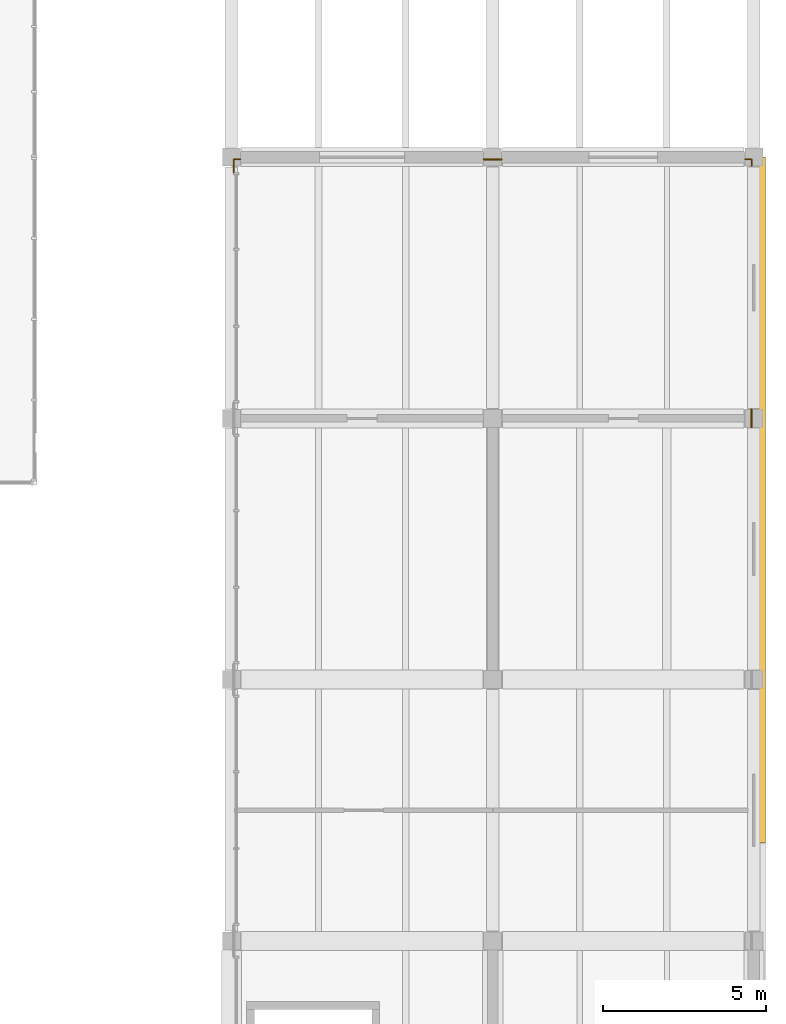
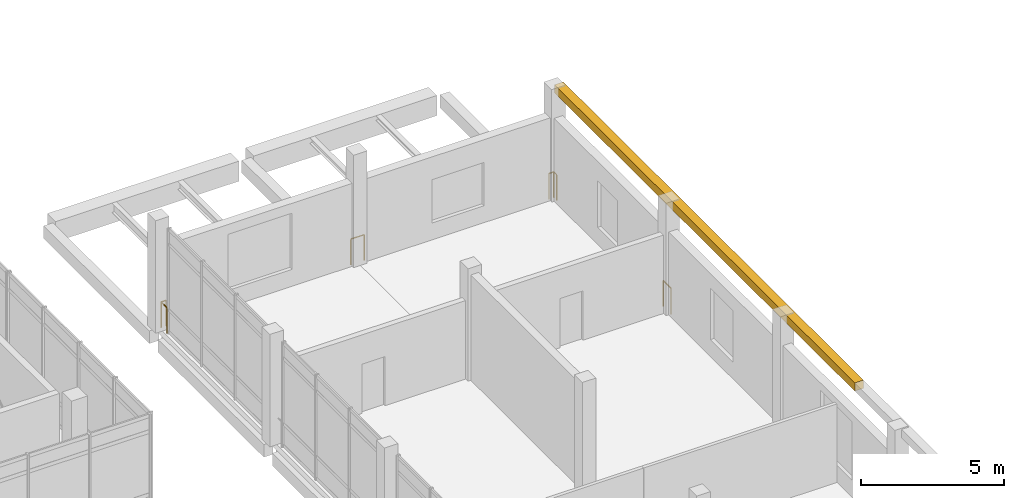
# One storey, part 27 of 28: 4 railings, 1 covering.
"""IFC4 building model written with IfcOpenShell, lengths in metres."""

from ifc_helpers import new_model, si_unit, direction, frame, origin, origin_2d, place, context, subcontext, project, spatial, polyline, circle, outline, extrude, material, layer, layer_set, type_object, element, save


model = new_model("IFC4")

# Units and contexts
model_context = context("Model", 3, precision=1e-05, world=origin(), true_north=direction((0.0, 1.0)))
body_context = subcontext(model_context, "Body", "Model", "MODEL_VIEW")
ifc_project = project(units=[si_unit("LENGTHUNIT", "METRE"), si_unit("AREAUNIT", "SQUARE_METRE"), si_unit("VOLUMEUNIT", "CUBIC_METRE"), si_unit("PLANEANGLEUNIT", "RADIAN"), si_unit("MASSUNIT", "GRAM", prefix="KILO")], contexts=[model_context])

# Site, building, storey
site_placement = place(None, origin())
site = spatial("IfcSite", under=ifc_project, at=site_placement, CompositionType="ELEMENT")
building_placement = place(site_placement, origin())
building = spatial("IfcBuilding", under=site, at=building_placement, Name="Pecanmere Concourse Central Library", CompositionType="ELEMENT")
storey_placement = place(building_placement, frame((0.0, 0.0, 20.10009765625)))
storey = spatial("IfcBuildingStorey", under=building, at=storey_placement, Name="L05", CompositionType="ELEMENT", Elevation=20.10009765625)

# Covering
ifc_material_1 = material(Name="Texas cream limestone ashlar masonry", Category="masonry")
ifc_layer = layer(ifc_material_1, 0.06005859375, Name="COV_CLAD_CORNICE")
ifc_layer_set = layer_set([ifc_layer], Name="Texas cream limestone ashlar masonry")
covering_type = type_object("IfcCoveringType", Name="COV_CLAD_CORNICE", PredefinedType="CLADDING", material=ifc_layer_set)
covering_placement = place(storey_placement, frame((0.0, 0.0, 4.39990234375)))
element("IfcCovering", 1, at=covering_placement, inside=storey, type_object=covering_type, Name="Classical Entablature Cornice 06", PredefinedType="CLADDING", context=body_context, shape_type="SweptSolid", body=[
    extrude(outline(polyline([(128.0, 77.0), (128.35009765625, 77.0), (128.35009765625, 98.0), (128.0, 98.0), (128.0, 77.0)])), origin(), (0.0, 0.0, 1.0), 0.35009765625),
])

# Railings
ifc_material_2 = material(Name="Architectural anodized bronze")
railing_type = type_object("IfcRailingType", Name="RAIL_ATRIUM_BAL", PredefinedType="BALUSTRADE", material=ifc_material_2)
railing_1_placement = place(storey_placement, frame((112.070068359375, 97.52001953125, 0.0)))
element("IfcRailing", 2, at=railing_1_placement, inside=storey, type_object=railing_type, Name="Deck Edge Protective Balustrade L05-203", PredefinedType="BALUSTRADE", context=body_context, shape_type="SweptSolid", body=[
    extrude(circle(Radius=0.02392578125, at=origin_2d()), frame((0.0, 0.0, 1.09619140625), z_axis=(0.0, 1.0, 0.0), x_axis=(-1.0, 0.0, 0.0)), (0.0, 0.0, 1.0), 0.40966796875),
    extrude(circle(Radius=0.02392578125, at=origin_2d()), frame((0.0, 0.40966796875, 1.09619140625), z_axis=(1.0, 0.0, 0.0), x_axis=(0.0, 1.0, 0.0)), (0.0, 0.0, 1.0), 0.199951171875),
    extrude(circle(Radius=0.02099609375, at=origin_2d()), origin(), (0.0, 0.0, 1.0), 1.072021484375),
    extrude(circle(Radius=0.02099609375, at=origin_2d()), frame((0.0, 0.40966796875, 0.0)), (0.0, 0.0, 1.0), 1.072021484375),
    extrude(circle(Radius=0.02099609375, at=origin_2d()), frame((0.199951171875, 0.40966796875, 0.0)), (0.0, 0.0, 1.0), 1.072021484375),
])
railing_2_placement = place(storey_placement, frame((119.72998046875, 97.929931640625, 0.0)))
element("IfcRailing", 3, at=railing_2_placement, inside=storey, type_object=railing_type, Name="Deck Edge Protective Balustrade L05-204", PredefinedType="BALUSTRADE", context=body_context, shape_type="SweptSolid", body=[
    extrude(circle(Radius=0.02392578125, at=origin_2d()), frame((0.0, 0.0, 1.09619140625), z_axis=(1.0, 0.0, 0.0), x_axis=(0.0, 1.0, 0.0)), (0.0, 0.0, 1.0), 0.5400390625),
    extrude(circle(Radius=0.02099609375, at=origin_2d()), origin(), (0.0, 0.0, 1.0), 1.072021484375),
    extrude(circle(Radius=0.02099609375, at=origin_2d()), frame((0.5400390625, 0.0, 0.0)), (0.0, 0.0, 1.0), 1.072021484375),
])
railing_3_placement = place(storey_placement, frame((127.72998046875, 97.929931640625, 0.0)))
element("IfcRailing", 4, at=railing_3_placement, inside=storey, type_object=railing_type, Name="Deck Edge Protective Balustrade L05-205", PredefinedType="BALUSTRADE", context=body_context, shape_type="SweptSolid", body=[
    extrude(circle(Radius=0.02392578125, at=origin_2d()), frame((0.0, 0.0, 1.09619140625), z_axis=(1.0, 0.0, 0.0), x_axis=(0.0, 1.0, 0.0)), (0.0, 0.0, 1.0), 0.19970703125),
    extrude(circle(Radius=0.02392578125, at=origin_2d()), frame((0.19970703125, 0.0, 1.09619140625), z_axis=(0.0, -1.0, 0.0), x_axis=(1.0, 0.0, 0.0)), (0.0, 0.0, 1.0), 0.199951171875),
    extrude(circle(Radius=0.02099609375, at=origin_2d()), origin(), (0.0, 0.0, 1.0), 1.072021484375),
    extrude(circle(Radius=0.02099609375, at=origin_2d()), frame((0.19970703125, 0.0, 0.0)), (0.0, 0.0, 1.0), 1.072021484375),
    extrude(circle(Radius=0.02099609375, at=origin_2d()), frame((0.19970703125, -0.199951171875, 0.0)), (0.0, 0.0, 1.0), 1.072021484375),
])
railing_4_placement = place(storey_placement, frame((127.9296875, 90.27001953125, 0.0)))
element("IfcRailing", 5, at=railing_4_placement, inside=storey, type_object=railing_type, Name="Deck Edge Protective Balustrade L05-206", PredefinedType="BALUSTRADE", context=body_context, shape_type="SweptSolid", body=[
    extrude(circle(Radius=0.02392578125, at=origin_2d()), frame((0.0, 0.0, 1.09619140625), z_axis=(0.0, -1.0, 0.0), x_axis=(1.0, 0.0, 0.0)), (0.0, 0.0, 1.0), 0.5400390625),
    extrude(circle(Radius=0.02099609375, at=origin_2d()), origin(), (0.0, 0.0, 1.0), 1.072021484375),
    extrude(circle(Radius=0.02099609375, at=origin_2d()), frame((0.0, -0.5400390625, 0.0)), (0.0, 0.0, 1.0), 1.072021484375),
])

save(model, "model.ifc")
